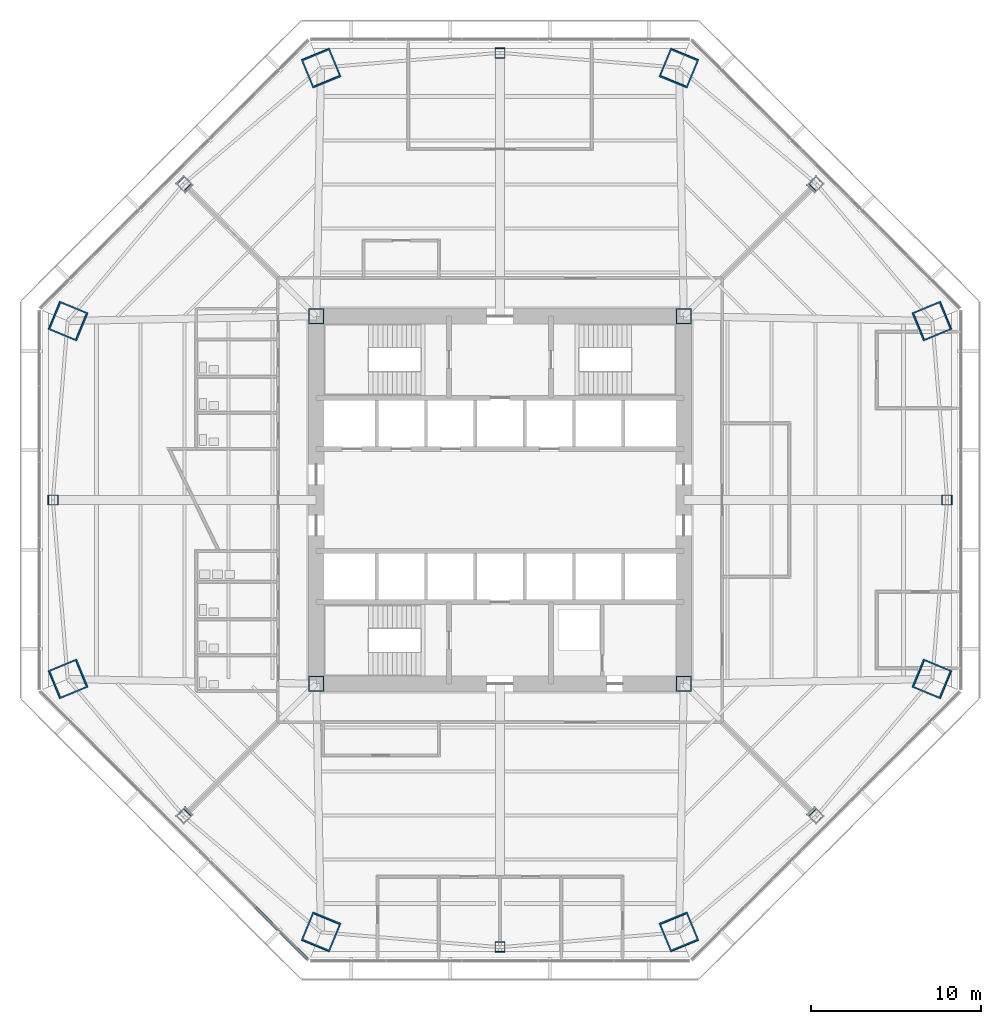
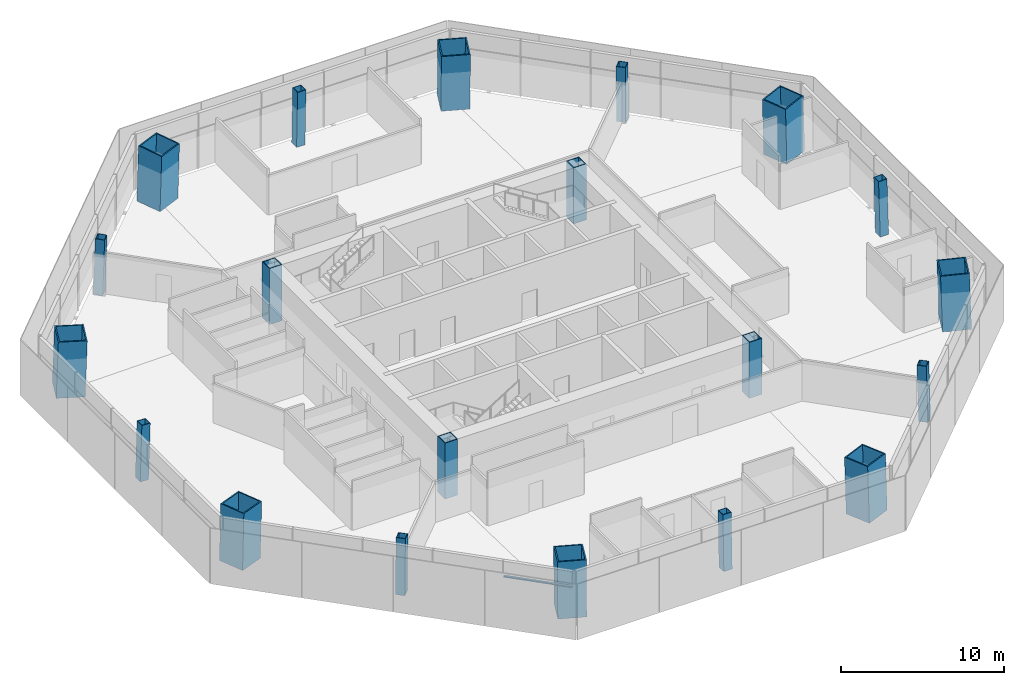
# One storey, part 1 of 14: 20 columns, 1 member, 1 element without a shape of its own.
"""IFC4 building model written with IfcOpenShell, lengths in metres."""

from ifc_helpers import new_model, si_unit, direction, frame, origin, origin_2d, place, context, subcontext, project, spatial, rectangle, hollow_rectangle, extrude, source, transform, mapped, material, material_profile, profile_set, type_object, type_shapes, element, aggregate, save


model = new_model("IFC4")

# Units and contexts
model_context = context("Model", 3, precision=1e-05, world=origin(), true_north=direction((0.0, 1.0)))
body_context = subcontext(model_context, "Body", "Model", "MODEL_VIEW")
ifc_project = project(units=[si_unit("LENGTHUNIT", "METRE"), si_unit("AREAUNIT", "SQUARE_METRE"), si_unit("VOLUMEUNIT", "CUBIC_METRE"), si_unit("PLANEANGLEUNIT", "RADIAN"), si_unit("MASSUNIT", "GRAM", prefix="KILO")], contexts=[model_context])

# Site, building, storey
site_placement = place(None, origin())
site = spatial("IfcSite", under=ifc_project, at=site_placement, CompositionType="ELEMENT")
building_placement = place(site_placement, origin())
building = spatial("IfcBuilding", under=site, at=building_placement, Name="Mashrafa Tower", CompositionType="ELEMENT")
storey_placement = place(building_placement, frame((0.0, 0.0, 33.0)))
storey = spatial("IfcBuildingStorey", under=building, at=storey_placement, Name="L06", CompositionType="ELEMENT", Elevation=33.0)

# Columns
ifc_material_1 = material(Name="Steel ASTM A572 Gr 50", Category="steel")
ifc_material_profile_1 = material_profile(ifc_material_1, hollow_rectangle(XDim=0.89990234375, YDim=0.89990234375, WallThickness=0.06005859375, at=origin_2d()), Name="BOX900X900X60")
ifc_profile_set_1 = profile_set([ifc_material_profile_1], Name="Steel ASTM A572 Gr 50")
column_type_1 = type_object("IfcColumnType", Name="Core corner column BOX900X900X60", PredefinedType="COLUMN", material=ifc_profile_set_1)
for number, where, z_axis, x_axis, name in (
    (1, (10.800048828125, 10.800048828125, 0.0), (0.0, 0.0, 1.0), (1.0, 0.0, 0.0), "Core corner column CC-NE L06"),
    (2, (-10.800048828125, 10.800048828125, 0.0), (0.0, 0.0, 1.0), (1.0, 0.0, 0.0), "Core corner column CC-NW L06"),
    (3, (-10.800048828125, -10.800048828125, 0.0), (0.0, 0.0, 1.0), (1.0, 0.0, 0.0), "Core corner column CC-SW L06"),
    (4, (10.800048828125, -10.800048828125, 0.0), (0.0, 0.0, 1.0), (1.0, 0.0, 0.0), "Core corner column CC-SE L06"),
):
    element("IfcColumn", number, at=place(storey_placement, frame(where, z_axis=z_axis, x_axis=x_axis)), inside=storey, type_object=column_type_1, Name=name, PredefinedType="COLUMN", context=body_context, shape_type="SweptSolid", body=[
        extrude(hollow_rectangle(XDim=0.89990234375, YDim=0.89990234375, WallThickness=0.06005859375, at=origin_2d()), origin(), (0.0, 0.0, 1.0), 4.199951171875),
    ])
ifc_material_2 = material(Name="Steel ASTM A572 Gr 50", Category="steel")
ifc_material_profile_2 = material_profile(ifc_material_2, hollow_rectangle(XDim=1.800048828125, YDim=1.800048828125, WallThickness=0.0849609375, at=origin_2d()), Name="BOX1800X1800X85")
ifc_profile_set_2 = profile_set([ifc_material_profile_2], Name="Steel ASTM A572 Gr 50")
column_type_2 = type_object("IfcColumnType", Name="Mega column CFST BOX1800X1800X85", PredefinedType="COLUMN", material=ifc_profile_set_2)
for number, where, z_axis, x_axis, name in (
    (5, (25.403076171875, 10.522216796875, 0.0), (-0.028295749455, -0.011678533143, 0.999531371407), (0.38151339852, -0.924363308851, 0.0), "Mega column MC1 L06"),
    (6, (10.522216796875, 25.403076171875, 0.0), (-0.011678533143, -0.028295749455, 0.999531371407), (0.924363308851, -0.38151339852, 0.0), "Mega column MC2 L06"),
    (7, (-10.522216796875, 25.403076171875, 0.0), (0.011678533143, -0.028295749455, 0.999531371407), (0.924363308851, 0.38151339852, 0.0), "Mega column MC3 L06"),
    (8, (-25.403076171875, 10.522216796875, 0.0), (0.028295749455, -0.011678533143, 0.999531371407), (0.38151339852, 0.924363308851, 0.0), "Mega column MC4 L06"),
    (9, (-25.403076171875, -10.522216796875, 0.0), (0.028295749455, 0.011678533143, 0.999531371407), (-0.38151339852, 0.924363308851, 0.0), "Mega column MC5 L06"),
    (10, (-10.522216796875, -25.403076171875, 0.0), (0.011678533143, 0.028295749455, 0.999531371407), (-0.924363308851, 0.38151339852, 0.0), "Mega column MC6 L06"),
    (11, (10.522216796875, -25.403076171875, 0.0), (-0.011678533143, 0.028295749455, 0.999531371407), (-0.924363308851, -0.38151339852, 0.0), "Mega column MC7 L06"),
    (12, (25.403076171875, -10.522216796875, 0.0), (-0.028295749455, 0.011678533143, 0.999531371407), (-0.38151339852, -0.924363308851, 0.0), "Mega column MC8 L06"),
):
    element("IfcColumn", number, at=place(storey_placement, frame(where, z_axis=z_axis, x_axis=x_axis)), inside=storey, type_object=column_type_2, Name=name, PredefinedType="COLUMN", context=body_context, shape_type="SweptSolid", body=[
        extrude(hollow_rectangle(XDim=1.800048828125, YDim=1.800048828125, WallThickness=0.0849609375, at=origin_2d()), origin(), (0.0, 0.0, 1.0), 4.201904296875),
    ])
ifc_material_3 = material(Name="Steel ASTM A572 Gr 50", Category="steel")
ifc_material_profile_3 = material_profile(ifc_material_3, hollow_rectangle(XDim=0.60009765625, YDim=0.60009765625, WallThickness=0.031982421875, at=origin_2d()), Name="BOX600X600X32")
ifc_profile_set_3 = profile_set([ifc_material_profile_3], Name="Steel ASTM A572 Gr 50")
column_type_3 = type_object("IfcColumnType", Name="Secondary column BOX600X600X32", PredefinedType="COLUMN", material=ifc_profile_set_3)
for number, where, z_axis, x_axis, name in (
    (13, (26.28125, 0.0, 0.0), (-0.028297679255, 0.0, 0.99959954049), (0.0, -1.0, 0.0), "Secondary column SC1 L06"),
    (14, (18.58349609375, 18.58349609375, 0.0), (-0.019988521213, -0.019988521213, 0.999600379171), (0.707106781187, -0.707106781187, 0.0), "Secondary column SC2 L06"),
    (15, (0.0, 26.28125, 0.0), (0.0, -0.028297679255, 0.99959954049), (1.0, 0.0, 0.0), "Secondary column SC3 L06"),
    (16, (-18.58349609375, 18.58349609375, 0.0), (0.019988521213, -0.019988521213, 0.999600379171), (0.707106781187, 0.707106781187, 0.0), "Secondary column SC4 L06"),
    (17, (-26.28125, 0.0, 0.0), (0.028297679255, 0.0, 0.99959954049), (0.0, 1.0, 0.0), "Secondary column SC5 L06"),
    (18, (-18.58349609375, -18.58349609375, 0.0), (0.019988521213, 0.019988521213, 0.999600379171), (-0.707106781187, 0.707106781187, 0.0), "Secondary column SC6 L06"),
    (19, (0.0, -26.28125, 0.0), (0.0, 0.028297679255, 0.99959954049), (-1.0, 0.0, 0.0), "Secondary column SC7 L06"),
    (20, (18.58349609375, -18.58349609375, 0.0), (-0.019988521213, 0.019988521213, 0.999600379171), (-0.707106781187, -0.707106781187, 0.0), "Secondary column SC8 L06"),
):
    element("IfcColumn", number, at=place(storey_placement, frame(where, z_axis=z_axis, x_axis=x_axis)), inside=storey, type_object=column_type_3, Name=name, PredefinedType="COLUMN", context=body_context, shape_type="SweptSolid", body=[
        extrude(hollow_rectangle(XDim=0.60009765625, YDim=0.60009765625, WallThickness=0.031982421875, at=origin_2d()), origin(), (0.0, 0.0, 1.0), 4.20166015625),
    ])

# Curtain wall, member
ifc_material_4 = material(Name="Unitised aluminium curtain wall", Category="aluminium")
curtain_wall_type = type_object("IfcCurtainWallType", Name="Office curtain wall, zone 1 CW-A 200 deep", PredefinedType="NOTDEFINED", material=ifc_material_4)
curtain_wall_placement = place(storey_placement, origin())
curtain_wall = element("IfcCurtainWall", 21, at=curtain_wall_placement, inside=storey, type_object=curtain_wall_type, Name="Office curtain wall, zone 1 L06 south-west", PredefinedType="NOTDEFINED")
ifc_material_5 = material(Name="Extruded aluminium transom", Category="aluminium")
ifc_material_profile_4 = material_profile(ifc_material_5, rectangle(XDim=0.159912109375, YDim=0.080078125, at=origin_2d()), Name="Transom 80x160")
ifc_profile_set_4 = profile_set([ifc_material_profile_4], Name="Extruded aluminium transom")
member_type = type_object("IfcMemberType", Name="Transom CW-A 80 x 160", PredefinedType="MULLION", material=ifc_profile_set_4)
shared_shape = source(origin(), body_context, "Body", "SweptSolid", [
    extrude(rectangle(XDim=0.159912109375, YDim=0.080078125, at=origin_2d()), origin(), (0.0, 0.0, 1.0), 4.36865234375),
])
type_shapes(member_type, [shared_shape])
member_placement = place(storey_placement, frame((-14.388916015625, -23.90966796875, 3.0), z_axis=(0.707106781187, -0.707106781187, 0.0), x_axis=(0.707106781187, 0.707106781187, 0.0)))
member = element("IfcMember", 22, at=member_placement, type_object=member_type, Name="CW-A transom 5", PredefinedType="MULLION", context=body_context, shape_type="MappedRepresentation", body=[
    mapped(shared_shape, transform((0.0, 0.0, 0.0))),
])
aggregate(curtain_wall, [member])

save(model, "model.ifc")
